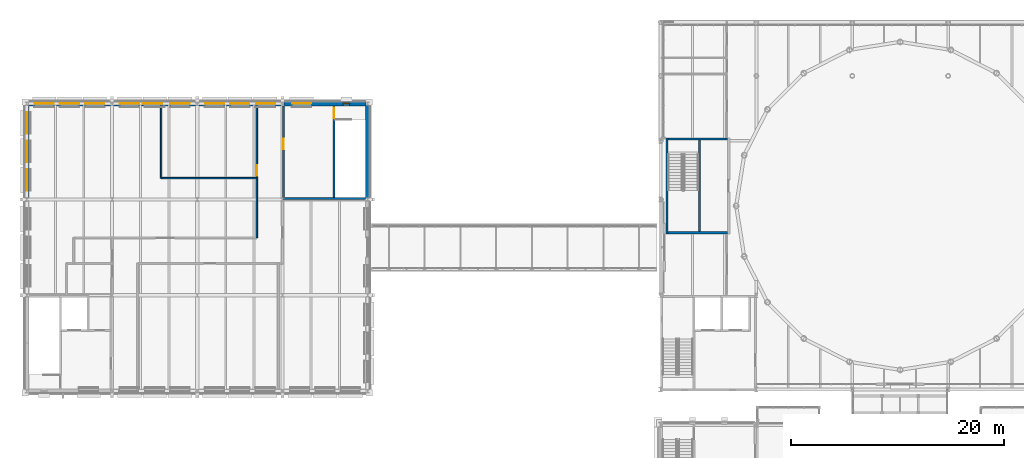
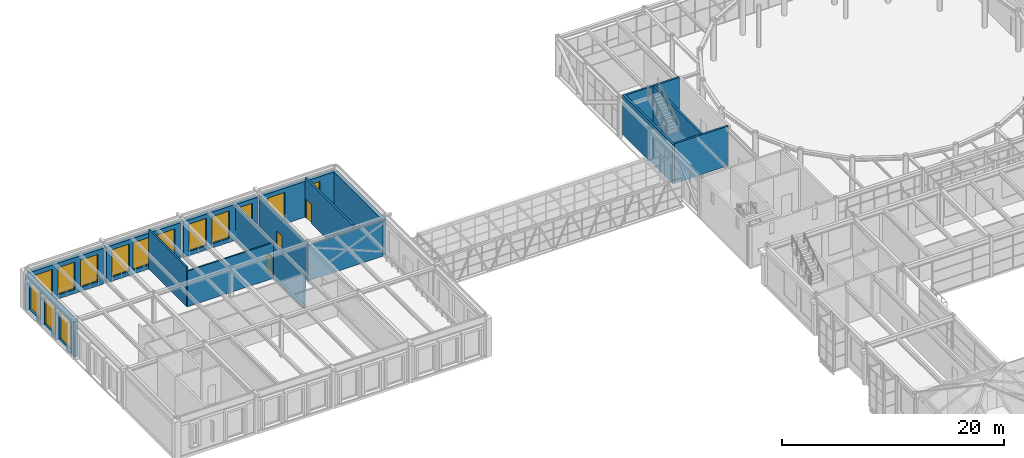
# One storey, part 95 of 149: 16 walls, 14 windows, 3 doors, 17 openings.
"""IFC4 building model written with IfcOpenShell, lengths in metres."""

import ifcopenshell
import ifcopenshell.guid

model = None  # the IFC model being written
_history = None  # IfcOwnerHistory: only IFC2X3 demands one
_inside = {}  # id of a spatial element -> (the spatial element, [elements in it])
_under = {}  # id of a project, library or spatial element -> (it, [spatial elements below it])
_declared = {}  # id of a project -> (the project, [libraries it declares])
_typed = {}  # id of a type object -> (the type object, [elements of that type])
_made_of = {}  # id of a material, layer set ... -> (it, [elements and type objects made of it])


def new_model(schema):
    """Start an empty IFC model of exactly this schema.

    Asked for "IFC4X3", IfcOpenShell would pick the latest addendum, in which some entities
    have other attributes; the version numbers below select the first issue.
    IFC2X3 requires an IfcOwnerHistory on every rooted entity: one is made here for all.
    """
    global model, _history
    if schema == "IFC4X3":
        model = ifcopenshell.file(schema_version=(4, 3, 0, 0))
    else:
        model = ifcopenshell.file(schema=schema)
    _inside.clear()
    _under.clear()
    _declared.clear()
    _typed.clear()
    _made_of.clear()
    _history = None
    if model.schema == "IFC2X3":
        org = make("IfcOrganization", Name="unknown")
        user = make(
            "IfcPersonAndOrganization",
            ThePerson=make("IfcPerson", FamilyName="unknown"),
            TheOrganization=org,
        )
        app = make(
            "IfcApplication",
            ApplicationDeveloper=org,
            Version="unknown",
            ApplicationFullName="unknown",
            ApplicationIdentifier="unknown",
        )
        _history = make(
            "IfcOwnerHistory",
            OwningUser=user,
            OwningApplication=app,
            ChangeAction="ADDED",
            CreationDate=0,
        )
    return model


def make(cls, **values):
    """One entity of the class cls with the attributes given. An attribute that is None is left unset."""
    return model.create_entity(
        cls, **{name: value for name, value in values.items() if value is not None}
    )


def rooted(cls, **values):
    """An entity with a GlobalId (a new one), such as an element, a storey or a relation."""
    return make(cls, GlobalId=ifcopenshell.guid.new(), OwnerHistory=_history, **values)


def si_unit(unit_type, name, prefix=None):
    """IfcSIUnit, for example si_unit("LENGTHUNIT", "METRE", prefix="MILLI")."""
    return make("IfcSIUnit", UnitType=unit_type, Prefix=prefix, Name=name)


def assignment(units):
    """IfcUnitAssignment: the units of a project."""
    return None if units is None else make("IfcUnitAssignment", Units=units)


def point(xyz):
    """IfcCartesianPoint."""
    return None if xyz is None else make("IfcCartesianPoint", Coordinates=xyz)


def direction(xyz):
    """IfcDirection."""
    return None if xyz is None else make("IfcDirection", DirectionRatios=xyz)


def frame(location, z_axis=None, x_axis=None):
    """IfcAxis2Placement3D, a coordinate frame: its origin and axes. An axis left out is left unset."""
    return make(
        "IfcAxis2Placement3D",
        Location=point(location),
        Axis=direction(z_axis),
        RefDirection=direction(x_axis),
    )


def frame_2d(location, x_axis=None):
    """IfcAxis2Placement2D, a coordinate frame in the plane: its origin and x axis."""
    return make(
        "IfcAxis2Placement2D", Location=point(location), RefDirection=direction(x_axis)
    )


def origin():
    """The frame at (0, 0, 0) with its axes left unset."""
    return frame((0.0, 0.0, 0.0))


def place(relative_to, where):
    """IfcLocalPlacement: puts the frame where relative to a parent placement (None: the world)."""
    return make(
        "IfcLocalPlacement", PlacementRelTo=relative_to, RelativePlacement=where
    )


def context(
    kind, dimensions, precision=None, world=None, true_north=None, identifier=None
):
    """IfcGeometricRepresentationContext, for example the 3D "Model" context."""
    return make(
        "IfcGeometricRepresentationContext",
        ContextIdentifier=identifier,
        ContextType=kind,
        CoordinateSpaceDimension=dimensions,
        Precision=precision,
        WorldCoordinateSystem=world,
        TrueNorth=true_north,
    )


def subcontext(parent, identifier, kind, view, scale=None):
    """IfcGeometricRepresentationSubContext, for example "Body" below "Model"."""
    return make(
        "IfcGeometricRepresentationSubContext",
        ContextIdentifier=identifier,
        ContextType=kind,
        ParentContext=parent,
        TargetScale=scale,
        TargetView=view,
    )


def project(units=None, contexts=None):
    """IfcProject with its units and contexts."""
    return rooted(
        "IfcProject",
        Name="project",
        RepresentationContexts=contexts,
        UnitsInContext=assignment(units),
    )


def spatial(cls, under=None, at=None, **own):
    """A site, building, storey or space (cls), placed at a placement, below another one or the project."""
    s = rooted(cls, ObjectPlacement=at, **own)
    if under is not None:
        _under.setdefault(under.id(), (under, []))[1].append(s)
    return s


def profile(cls, at=None, kind="AREA", **sizes):
    """A parametric profile (cls). Its sizes go by their IFC names, for example OverallWidth=200.0."""
    return make(cls, ProfileType=kind, Position=at, **sizes)


def rectangle(**sizes):
    """IfcRectangleProfileDef."""
    return profile("IfcRectangleProfileDef", **sizes)


def extrude(swept, where, along, depth):
    """IfcExtrudedAreaSolid: the profile swept, set in the frame where, extruded along a direction by depth."""
    return make(
        "IfcExtrudedAreaSolid",
        SweptArea=swept,
        Position=where,
        ExtrudedDirection=direction(along),
        Depth=depth,
    )


def shape(context_of_items, identifier, shape_type, items):
    """IfcShapeRepresentation: the items that make up one representation, for example the "Body"."""
    return make(
        "IfcShapeRepresentation",
        ContextOfItems=context_of_items,
        RepresentationIdentifier=identifier,
        RepresentationType=shape_type,
        Items=items,
    )


def material(Name=None, Category=None):
    """IfcMaterial."""
    return make("IfcMaterial", Name=Name, Category=Category)


def layer(
    of_material, thickness, ventilated=None, Name=None, Category=None, Priority=None
):
    """IfcMaterialLayer: one layer of a wall or slab, of a material (None: an air gap)."""
    return make(
        "IfcMaterialLayer",
        Material=of_material,
        LayerThickness=thickness,
        IsVentilated=ventilated,
        Name=Name,
        Category=Category,
        Priority=Priority,
    )


def layer_set(layers, Name=None):
    """IfcMaterialLayerSet."""
    return make("IfcMaterialLayerSet", MaterialLayers=layers, LayerSetName=Name)


def made_of(thing, what):
    """Note that an element or type object is made of a material, layer set ...; save() writes the relation."""
    if what is not None:
        _made_of.setdefault(what.id(), (what, []))[1].append(thing)
    return thing


def type_object(cls, material=None, **own):
    """A type object (cls), such as IfcWallType, which elements share."""
    return made_of(rooted(cls, **own), material)


def element(
    cls,
    number,
    at=None,
    inside=None,
    cuts=None,
    type_object=None,
    material=None,
    context=None,
    identifier="Body",
    shape_type=None,
    held_by="IfcProductDefinitionShape",
    body=None,
    shapes=None,
    **own,
):
    """One element of the class cls, such as IfcWall. Its Tag is "e" and its number.

    at: its placement. inside: the storey or other place that contains it. cuts: it is an
    opening in that element (IfcRelVoidsElement). A single representation is given by context,
    identifier, shape_type and body (its items); several are given by shapes. held_by: the class
    of the entity that holds the representations. save() writes the other relations.
    """
    e = rooted(cls, Tag="e%d" % number, ObjectPlacement=at, **own)
    if body is not None:
        shapes = [shape(context, identifier, shape_type, body)]
    if shapes is not None:
        e.Representation = make(held_by, Representations=shapes)
    if inside is not None:
        _inside.setdefault(inside.id(), (inside, []))[1].append(e)
    if cuts is not None:
        rooted(
            "IfcRelVoidsElement", RelatingBuildingElement=cuts, RelatedOpeningElement=e
        )
    if type_object is not None:
        _typed.setdefault(type_object.id(), (type_object, []))[1].append(e)
    return made_of(e, material)


def fill(opening, filler):
    """IfcRelFillsElement: the door or window that sits in an opening."""
    return rooted(
        "IfcRelFillsElement",
        RelatingOpeningElement=opening,
        RelatedBuildingElement=filler,
    )


def aggregate(whole, parts):
    """IfcRelAggregates: a whole, such as a stair, and the parts it consists of."""
    return rooted("IfcRelAggregates", RelatingObject=whole, RelatedObjects=parts)


def save(model, path):
    """Write the relations noted so far, then the file.

    IfcRelAggregates (storeys below a building ...), IfcRelContainedInSpatialStructure (elements
    in a storey), IfcRelDefinesByType, IfcRelAssociatesMaterial and IfcRelDeclares: one each for
    every whole, place, type object, material and project.
    """
    for whole, parts in _under.values():
        aggregate(whole, parts)
    for where, things in _inside.values():
        rooted(
            "IfcRelContainedInSpatialStructure",
            RelatedElements=things,
            RelatingStructure=where,
        )
    for kind, things in _typed.values():
        rooted("IfcRelDefinesByType", RelatedObjects=things, RelatingType=kind)
    for what, things in _made_of.values():
        rooted("IfcRelAssociatesMaterial", RelatedObjects=things, RelatingMaterial=what)
    for by, libraries in _declared.values():
        rooted("IfcRelDeclares", RelatingContext=by, RelatedDefinitions=libraries)
    model.write(path)


model = new_model("IFC4")

# Units and contexts
model_context = context("Model", 3, precision=1e-05, world=origin(), true_north=direction((0.0, 1.0)))
body_context = subcontext(model_context, "Body", "Model", "MODEL_VIEW")
ifc_project = project(units=[si_unit("LENGTHUNIT", "METRE"), si_unit("AREAUNIT", "SQUARE_METRE"), si_unit("VOLUMEUNIT", "CUBIC_METRE"), si_unit("PLANEANGLEUNIT", "RADIAN"), si_unit("MASSUNIT", "GRAM", prefix="KILO")], contexts=[model_context])

# Site, building, storey
site_placement = place(None, origin())
site = spatial("IfcSite", under=ifc_project, at=site_placement, CompositionType="ELEMENT")
building_placement = place(site_placement, origin())
building = spatial("IfcBuilding", under=site, at=building_placement, Name="Kallimachos Central Library", CompositionType="ELEMENT")
storey_placement = place(building_placement, frame((0.0, 0.0, 9.89990234375)))
storey = spatial("IfcBuildingStorey", under=building, at=storey_placement, Name="L02", CompositionType="ELEMENT", Elevation=9.89990234375)

# Walls
ifc_material_1 = material(Name="Concrete C30/37", Category="concrete")
ifc_layer_1 = layer(ifc_material_1, 0.199951171875)
ifc_layer_set_1 = layer_set([ifc_layer_1], Name="Core wall 200")
wall_type_1 = type_object("IfcWallType", Name="Core wall 200", PredefinedType="SOLIDWALL", material=ifc_layer_set_1)
wall_1_placement = place(storey_placement, frame((66.10009765625, 101.77490234375, 0.0), z_axis=(0.0, 0.0, 1.0), x_axis=(0.0, 1.0, 0.0)))
element("IfcWall", 1, at=wall_1_placement, inside=storey, type_object=wall_type_1, Name="Core wall V1-NW W", PredefinedType="SOLIDWALL", context=body_context, shape_type="SweptSolid", body=[
    extrude(rectangle(XDim=9.0, YDim=0.199951171875, at=frame_2d((4.5, 0.0))), origin(), (0.0, 0.0, 1.0), 4.35009765625),
])
for number, where, z_axis, x_axis, name in (
    (2, (66.199951171875, 101.875, 0.0), (0.0, 0.0, 1.0), (1.0, 0.0, 0.0), "Core wall V1-NW S"),
    (3, (66.199951171875, 110.675048828125, 0.0), (0.0, 0.0, 1.0), (1.0, 0.0, 0.0), "Core wall V1-NW N"),
):
    element("IfcWall", number, at=place(storey_placement, frame(where, z_axis=z_axis, x_axis=x_axis)), inside=storey, type_object=wall_type_1, Name=name, PredefinedType="SOLIDWALL", context=body_context, shape_type="SweptSolid", body=[
        extrude(rectangle(XDim=5.60009765625, YDim=0.199951171875, at=frame_2d((2.800048828125, 0.0))), origin(), (0.0, 0.0, 1.0), 4.35009765625),
    ])
wall_2_placement = place(storey_placement, frame((69.14990234375, 101.97509765625, 0.0), z_axis=(0.0, 0.0, 1.0), x_axis=(0.0, 1.0, 0.0)))
element("IfcWall", 4, at=wall_2_placement, inside=storey, type_object=wall_type_1, Name="Stair wall V1-NW", PredefinedType="SOLIDWALL", context=body_context, shape_type="SweptSolid", body=[
    extrude(rectangle(XDim=8.599853515625, YDim=0.199951171875, at=frame_2d((4.2998046875, 0.0))), origin(), (0.0, 0.0, 1.0), 4.35009765625),
])
wall_3_placement = place(storey_placement, frame((30.0, 105.10009765625, 0.0), z_axis=(0.0, 0.0, 1.0), x_axis=(1.0, 0.0, 0.0)))
element("IfcWall", 5, at=wall_3_placement, inside=storey, type_object=wall_type_1, Name="Core wall ne-south L02", PredefinedType="SOLIDWALL", context=body_context, shape_type="SweptSolid", body=[
    extrude(rectangle(XDim=7.800048828125, YDim=0.199951171875, at=frame_2d((3.89990234375, 0.0))), origin(), (0.0, 0.0, 1.0), 3.91015625),
])

# Wall, opening, door
wall_4_placement = place(storey_placement, frame((30.10009765625, 105.199951171875, 0.0), z_axis=(0.0, 0.0, 1.0), x_axis=(0.0, 1.0, 0.0)))
wall_4 = element("IfcWall", 6, at=wall_4_placement, inside=storey, type_object=wall_type_1, Name="Core wall ne-west L02", PredefinedType="SOLIDWALL", context=body_context, shape_type="SweptSolid", body=[
    extrude(rectangle(XDim=8.60009765625, YDim=0.199951171875, at=frame_2d((4.300048828125, 0.0))), origin(), (0.0, 0.0, 1.0), 3.91015625),
])
opening_1_placement = place(wall_4_placement, frame((4.5, 0.0, 0.0)))
opening_1 = element("IfcOpeningElement", 7, at=opening_1_placement, cuts=wall_4, Name="Opening D312", PredefinedType="OPENING", context=body_context, shape_type="SweptSolid", body=[
    extrude(rectangle(XDim=1.0, YDim=2.10009765625, at=frame_2d((0.5, 1.050048828125))), frame((0.0, 0.10986328125, 0.0), z_axis=(0.0, -1.0, 0.0), x_axis=(1.0, 0.0, 0.0)), (0.0, 0.0, 1.0), 0.219970703125),
])
ifc_material_2 = material(Name="Steel fire door", Category="steel")
door_type_1 = type_object("IfcDoorType", Name="Fire door 1000 x 2100", OperationType="NOTDEFINED", PredefinedType="DOOR", material=ifc_material_2)
door_1_placement = place(opening_1_placement, origin())
door_1 = element("IfcDoor", 8, at=door_1_placement, inside=storey, type_object=door_type_1, Name="Stair lobby ST6 door to corridor", OperationType="SINGLE_SWING_LEFT", OverallHeight=2.10009765625, OverallWidth=1.0, PredefinedType="DOOR", context=body_context, shape_type="SweptSolid", body=[
    extrude(rectangle(XDim=1.0, YDim=2.10009765625, at=frame_2d((0.5, 1.050048828125))), frame((0.0, 0.02490234375, 0.0), z_axis=(0.0, -1.0, 0.0), x_axis=(1.0, 0.0, 0.0)), (0.0, 0.0, 1.0), 0.050048828125),
])
fill(opening_1, door_1)

ifc_material_3 = material(Name="Concrete C30/37", Category="concrete")
ifc_layer_2 = layer(ifc_material_3, 0.199951171875)
ifc_layer_set_2 = layer_set([ifc_layer_2], Name="Core wall 200, non-load-bearing")
wall_type_2 = type_object("IfcWallType", Name="Core wall 200, non-load-bearing", PredefinedType="SOLIDWALL", material=ifc_layer_set_2)
wall_5_placement = place(storey_placement, frame((34.85009765625, 105.199951171875, 0.0), z_axis=(0.0, 0.0, 1.0), x_axis=(0.0, 1.0, 0.0)))
wall_5 = element("IfcWall", 9, at=wall_5_placement, inside=storey, type_object=wall_type_2, Name="Core wall ne-stair-lobby L02", PredefinedType="SOLIDWALL", context=body_context, shape_type="SweptSolid", body=[
    extrude(rectangle(XDim=8.60009765625, YDim=0.199951171875, at=frame_2d((4.300048828125, 0.0))), origin(), (0.0, 0.0, 1.0), 4.35009765625),
])
opening_2_placement = place(wall_5_placement, frame((7.425048828125, 0.0, 0.0)))
opening_2 = element("IfcOpeningElement", 10, at=opening_2_placement, cuts=wall_5, Name="Opening D311", PredefinedType="OPENING", context=body_context, shape_type="SweptSolid", body=[
    extrude(rectangle(XDim=1.0, YDim=2.10009765625, at=frame_2d((0.5, 1.050048828125))), frame((0.0, 0.10986328125, 0.0), z_axis=(0.0, -1.0, 0.0), x_axis=(1.0, 0.0, 0.0)), (0.0, 0.0, 1.0), 0.219970703125),
])
door_2_placement = place(opening_2_placement, frame((1.0, 0.0, 0.0), z_axis=(0.0, 0.0, 1.0), x_axis=(-1.0, 0.0, 0.0)))
door_2 = element("IfcDoor", 11, at=door_2_placement, inside=storey, type_object=door_type_1, Name="Stair ST6 door", OperationType="SINGLE_SWING_RIGHT", OverallHeight=2.10009765625, OverallWidth=1.0, PredefinedType="DOOR", context=body_context, shape_type="SweptSolid", body=[
    extrude(rectangle(XDim=1.0, YDim=2.10009765625, at=frame_2d((0.5, 1.050048828125))), frame((0.0, 0.02490234375, 0.0), z_axis=(0.0, -1.0, 0.0), x_axis=(1.0, 0.0, 0.0)), (0.0, 0.0, 1.0), 0.050048828125),
])
fill(opening_2, door_2)

# Walls
ifc_material_4 = material(Name="Gypsum board on steel studs", Category="steel")
ifc_layer_3 = layer(ifc_material_4, 0.14990234375)
ifc_layer_set_3 = layer_set([ifc_layer_3], Name="Partition wall 150")
wall_type_3 = type_object("IfcWallType", Name="Partition wall 150", PredefinedType="PARTITIONING", material=ifc_layer_set_3)
wall_6_placement = place(storey_placement, frame((18.60009765625, 107.0, 0.0), z_axis=(0.0, 0.0, 1.0), x_axis=(0.0, 1.0, 0.0)))
element("IfcWall", 12, at=wall_6_placement, inside=storey, type_object=wall_type_3, Name="Partition L02", PredefinedType="PARTITIONING", context=body_context, shape_type="SweptSolid", body=[
    extrude(rectangle(XDim=6.800048828125, YDim=0.14990234375, at=frame_2d((3.39990234375, 0.0))), origin(), (0.0, 0.0, 1.0), 4.35009765625),
])
wall_7_placement = place(storey_placement, frame((18.60009765625, 107.0, 0.0), z_axis=(0.0, 0.0, 1.0), x_axis=(1.0, 0.0, 0.0)))
element("IfcWall", 13, at=wall_7_placement, inside=storey, type_object=wall_type_3, Name="Partition L02", PredefinedType="PARTITIONING", context=body_context, shape_type="SweptSolid", body=[
    extrude(rectangle(XDim=9.0, YDim=0.14990234375, at=frame_2d((4.5, 0.0))), origin(), (0.0, 0.0, 1.0), 3.91015625),
])

# Wall, opening, door
wall_8_placement = place(storey_placement, frame((27.60009765625, 101.39990234375, 0.0), z_axis=(0.0, 0.0, 1.0), x_axis=(0.0, 1.0, 0.0)))
wall_8 = element("IfcWall", 14, at=wall_8_placement, inside=storey, type_object=wall_type_3, Name="Partition L02", PredefinedType="PARTITIONING", context=body_context, shape_type="SweptSolid", body=[
    extrude(rectangle(XDim=12.400146484375, YDim=0.14990234375, at=frame_2d((6.2001953125, 0.0))), origin(), (0.0, 0.0, 1.0), 3.960205078125),
])
opening_3_placement = place(wall_8_placement, frame((5.830078125, 0.0, 0.0)))
opening_3 = element("IfcOpeningElement", 15, at=opening_3_placement, cuts=wall_8, Name="Opening D316", PredefinedType="OPENING", context=body_context, shape_type="SweptSolid", body=[
    extrude(rectangle(XDim=1.0, YDim=2.10009765625, at=frame_2d((0.5, 1.050048828125))), frame((0.0, 0.0849609375, 0.0), z_axis=(0.0, -1.0, 0.0), x_axis=(1.0, 0.0, 0.0)), (0.0, 0.0, 1.0), 0.169921875),
])
ifc_material_5 = material(Name="Timber", Category="wood")
door_type_2 = type_object("IfcDoorType", Name="Single leaf door 1000 x 2100, EI2 30", OperationType="NOTDEFINED", PredefinedType="DOOR", material=ifc_material_5)
door_3_placement = place(opening_3_placement, frame((1.0, 0.0, 0.0), z_axis=(0.0, 0.0, 1.0), x_axis=(-1.0, 0.0, 0.0)))
door_3 = element("IfcDoor", 16, at=door_3_placement, inside=storey, type_object=door_type_2, Name="Door to Children's Staff Room", OperationType="SINGLE_SWING_RIGHT", OverallHeight=2.10009765625, OverallWidth=1.0, PredefinedType="DOOR", context=body_context, shape_type="SweptSolid", body=[
    extrude(rectangle(XDim=1.0, YDim=2.10009765625, at=frame_2d((0.5, 1.050048828125))), frame((0.0, 0.02490234375, 0.0), z_axis=(0.0, -1.0, 0.0), x_axis=(1.0, 0.0, 0.0)), (0.0, 0.0, 1.0), 0.050048828125),
])
fill(opening_3, door_3)

# Wall, openings, windows
ifc_material_6 = material(Name="Pentelic marble cladding on insulated brick masonry", Category="masonry")
ifc_layer_4 = layer(ifc_material_6, 0.39990234375)
ifc_layer_set_4 = layer_set([ifc_layer_4], Name="Stone cladding wall 400")
wall_type_4 = type_object("IfcWallType", Name="Stone cladding wall 400", PredefinedType="SOLIDWALL", material=ifc_layer_set_4)
wall_9_placement = place(storey_placement, frame((30.14990234375, 114.0, 0.0), z_axis=(0.0, 0.0, 1.0), x_axis=(1.0, 0.0, 0.0)))
wall_9 = element("IfcWall", 17, at=wall_9_placement, inside=storey, type_object=wall_type_4, Name="Stone wall N4 L02", PredefinedType="SOLIDWALL", context=body_context, shape_type="SweptSolid", body=[
    extrude(rectangle(XDim=7.7001953125, YDim=0.39990234375, at=frame_2d((3.85009765625, 0.0))), origin(), (0.0, 0.0, 1.0), 3.93017578125),
])
opening_4_placement = place(wall_9_placement, frame((5.550048828125, 0.0, 1.0)))
opening_4 = element("IfcOpeningElement", 18, at=opening_4_placement, cuts=wall_9, Name="Opening WN223", PredefinedType="OPENING", context=body_context, shape_type="SweptSolid", body=[
    extrude(rectangle(XDim=0.60009765625, YDim=2.39990234375, at=frame_2d((0.300048828125, 1.199951171875))), frame((0.0, 0.2099609375, 0.0), z_axis=(0.0, -1.0, 0.0), x_axis=(1.0, 0.0, 0.0)), (0.0, 0.0, 1.0), 0.419921875),
])
opening_5_placement = place(wall_9_placement, frame((0.75, 0.0, 0.449951171875)))
opening_5 = element("IfcOpeningElement", 19, at=opening_5_placement, cuts=wall_9, Name="Opening WN224", PredefinedType="OPENING", context=body_context, shape_type="SweptSolid", body=[
    extrude(rectangle(XDim=1.800048828125, YDim=3.0, at=frame_2d((0.89990234375, 1.5))), frame((0.0, 0.2099609375, 0.0), z_axis=(0.0, -1.0, 0.0), x_axis=(1.0, 0.0, 0.0)), (0.0, 0.0, 1.0), 0.419921875),
])
ifc_material_7 = material(Name="Laminated safety glass in painted steel frame", Category="steel")
window_type_1 = type_object("IfcWindowType", Name="Stair window 600 x 2400", PartitioningType="SINGLE_PANEL", PredefinedType="WINDOW", material=ifc_material_7)
window_1_placement = place(opening_4_placement, origin())
window_1 = element("IfcWindow", 20, at=window_1_placement, inside=storey, type_object=window_type_1, Name="V2-WIN-L02-021", OverallHeight=2.39990234375, OverallWidth=0.60009765625, PartitioningType="SINGLE_PANEL", PredefinedType="WINDOW", context=body_context, shape_type="SweptSolid", body=[
    extrude(rectangle(XDim=0.60009765625, YDim=2.39990234375, at=frame_2d((0.300048828125, 1.199951171875))), frame((0.0, 0.030029296875, 0.0), z_axis=(0.0, -1.0, 0.0), x_axis=(1.0, 0.0, 0.0)), (0.0, 0.0, 1.0), 0.06005859375),
])
fill(opening_4, window_1)
ifc_material_8 = material(Name="Laminated safety glass in painted steel frame", Category="steel")
window_type_2 = type_object("IfcWindowType", Name="Window 1800 x 3000", PartitioningType="SINGLE_PANEL", PredefinedType="WINDOW", material=ifc_material_8)
window_2_placement = place(opening_5_placement, origin())
window_2 = element("IfcWindow", 21, at=window_2_placement, inside=storey, type_object=window_type_2, Name="V2-WIN-L02-022", OverallHeight=3.0, OverallWidth=1.800048828125, PartitioningType="SINGLE_PANEL", PredefinedType="WINDOW", context=body_context, shape_type="SweptSolid", body=[
    extrude(rectangle(XDim=1.800048828125, YDim=3.0, at=frame_2d((0.89990234375, 1.5))), frame((0.0, 0.030029296875, 0.0), z_axis=(0.0, -1.0, 0.0), x_axis=(1.0, 0.0, 0.0)), (0.0, 0.0, 1.0), 0.06005859375),
])
fill(opening_5, window_2)

# Wall
wall_10_placement = place(storey_placement, frame((38.0, 105.14990234375, 0.0), z_axis=(0.0, 0.0, 1.0), x_axis=(0.0, 1.0, 0.0)))
element("IfcWall", 22, at=wall_10_placement, inside=storey, type_object=wall_type_4, Name="Stone wall E3 L02", PredefinedType="SOLIDWALL", context=body_context, shape_type="SweptSolid", body=[
    extrude(rectangle(XDim=8.7001953125, YDim=0.39990234375, at=frame_2d((4.35009765625, 0.0))), origin(), (0.0, 0.0, 1.0), 3.880126953125),
])

# Wall, openings, windows
ifc_material_9 = material(Name="Pentelic marble cladding on insulated brick masonry", Category="masonry")
ifc_layer_5 = layer(ifc_material_9, 0.39990234375)
ifc_layer_set_5 = layer_set([ifc_layer_5], Name="Stone cladding wall 400, unrated")
wall_type_5 = type_object("IfcWallType", Name="Stone cladding wall 400, unrated", PredefinedType="SOLIDWALL", material=ifc_layer_set_5)
wall_11_placement = place(storey_placement, frame((6.14990234375, 114.0, 0.0), z_axis=(0.0, 0.0, 1.0), x_axis=(1.0, 0.0, 0.0)))
wall_11 = element("IfcWall", 23, at=wall_11_placement, inside=storey, type_object=wall_type_5, Name="Stone wall N1 L02", PredefinedType="SOLIDWALL", context=body_context, shape_type="SweptSolid", body=[
    extrude(rectangle(XDim=7.7001953125, YDim=0.39990234375, at=frame_2d((3.85009765625, 0.0))), origin(), (0.0, 0.0, 1.0), 3.93017578125),
])
opening_6_placement = place(wall_11_placement, frame((0.574951171875, 0.0, 0.449951171875)))
opening_6 = element("IfcOpeningElement", 24, at=opening_6_placement, cuts=wall_11, Name="Opening WN201", PredefinedType="OPENING", context=body_context, shape_type="SweptSolid", body=[
    extrude(rectangle(XDim=1.800048828125, YDim=3.0, at=frame_2d((0.89990234375, 1.5))), frame((0.0, 0.2099609375, 0.0), z_axis=(0.0, -1.0, 0.0), x_axis=(1.0, 0.0, 0.0)), (0.0, 0.0, 1.0), 0.419921875),
])
opening_7_placement = place(wall_11_placement, frame((2.949951171875, 0.0, 0.449951171875)))
opening_7 = element("IfcOpeningElement", 25, at=opening_7_placement, cuts=wall_11, Name="Opening WN202", PredefinedType="OPENING", context=body_context, shape_type="SweptSolid", body=[
    extrude(rectangle(XDim=1.800048828125, YDim=3.0, at=frame_2d((0.89990234375, 1.5))), frame((0.0, 0.2099609375, 0.0), z_axis=(0.0, -1.0, 0.0), x_axis=(1.0, 0.0, 0.0)), (0.0, 0.0, 1.0), 0.419921875),
])
opening_8_placement = place(wall_11_placement, frame((5.324951171875, 0.0, 0.449951171875)))
opening_8 = element("IfcOpeningElement", 26, at=opening_8_placement, cuts=wall_11, Name="Opening WN203", PredefinedType="OPENING", context=body_context, shape_type="SweptSolid", body=[
    extrude(rectangle(XDim=1.800048828125, YDim=3.0, at=frame_2d((0.89990234375, 1.5))), frame((0.0, 0.2099609375, 0.0), z_axis=(0.0, -1.0, 0.0), x_axis=(1.0, 0.0, 0.0)), (0.0, 0.0, 1.0), 0.419921875),
])
window_3_placement = place(opening_6_placement, origin())
window_3 = element("IfcWindow", 27, at=window_3_placement, inside=storey, type_object=window_type_2, Name="V2-WIN-L02-012", OverallHeight=3.0, OverallWidth=1.800048828125, PartitioningType="SINGLE_PANEL", PredefinedType="WINDOW", context=body_context, shape_type="SweptSolid", body=[
    extrude(rectangle(XDim=1.800048828125, YDim=3.0, at=frame_2d((0.89990234375, 1.5))), frame((0.0, 0.030029296875, 0.0), z_axis=(0.0, -1.0, 0.0), x_axis=(1.0, 0.0, 0.0)), (0.0, 0.0, 1.0), 0.06005859375),
])
fill(opening_6, window_3)
window_4_placement = place(opening_7_placement, origin())
window_4 = element("IfcWindow", 28, at=window_4_placement, inside=storey, type_object=window_type_2, Name="V2-WIN-L02-013", OverallHeight=3.0, OverallWidth=1.800048828125, PartitioningType="SINGLE_PANEL", PredefinedType="WINDOW", context=body_context, shape_type="SweptSolid", body=[
    extrude(rectangle(XDim=1.800048828125, YDim=3.0, at=frame_2d((0.89990234375, 1.5))), frame((0.0, 0.030029296875, 0.0), z_axis=(0.0, -1.0, 0.0), x_axis=(1.0, 0.0, 0.0)), (0.0, 0.0, 1.0), 0.06005859375),
])
fill(opening_7, window_4)
window_5_placement = place(opening_8_placement, origin())
window_5 = element("IfcWindow", 29, at=window_5_placement, inside=storey, type_object=window_type_2, Name="V2-WIN-L02-014", OverallHeight=3.0, OverallWidth=1.800048828125, PartitioningType="SINGLE_PANEL", PredefinedType="WINDOW", context=body_context, shape_type="SweptSolid", body=[
    extrude(rectangle(XDim=1.800048828125, YDim=3.0, at=frame_2d((0.89990234375, 1.5))), frame((0.0, 0.030029296875, 0.0), z_axis=(0.0, -1.0, 0.0), x_axis=(1.0, 0.0, 0.0)), (0.0, 0.0, 1.0), 0.06005859375),
])
fill(opening_8, window_5)

wall_12_placement = place(storey_placement, frame((14.14990234375, 114.0, 0.0), z_axis=(0.0, 0.0, 1.0), x_axis=(1.0, 0.0, 0.0)))
wall_12 = element("IfcWall", 30, at=wall_12_placement, inside=storey, type_object=wall_type_5, Name="Stone wall N2 L02", PredefinedType="SOLIDWALL", context=body_context, shape_type="SweptSolid", body=[
    extrude(rectangle(XDim=7.7001953125, YDim=0.39990234375, at=frame_2d((3.85009765625, 0.0))), origin(), (0.0, 0.0, 1.0), 3.93017578125),
])
opening_9_placement = place(wall_12_placement, frame((0.574951171875, 0.0, 0.449951171875)))
opening_9 = element("IfcOpeningElement", 31, at=opening_9_placement, cuts=wall_12, Name="Opening WN209", PredefinedType="OPENING", context=body_context, shape_type="SweptSolid", body=[
    extrude(rectangle(XDim=1.800048828125, YDim=3.0, at=frame_2d((0.89990234375, 1.5))), frame((0.0, 0.2099609375, 0.0), z_axis=(0.0, -1.0, 0.0), x_axis=(1.0, 0.0, 0.0)), (0.0, 0.0, 1.0), 0.419921875),
])
opening_10_placement = place(wall_12_placement, frame((2.75, 0.0, 0.449951171875)))
opening_10 = element("IfcOpeningElement", 32, at=opening_10_placement, cuts=wall_12, Name="Opening WN210", PredefinedType="OPENING", context=body_context, shape_type="SweptSolid", body=[
    extrude(rectangle(XDim=1.800048828125, YDim=3.0, at=frame_2d((0.89990234375, 1.5))), frame((0.0, 0.2099609375, 0.0), z_axis=(0.0, -1.0, 0.0), x_axis=(1.0, 0.0, 0.0)), (0.0, 0.0, 1.0), 0.419921875),
])
opening_11_placement = place(wall_12_placement, frame((5.324951171875, 0.0, 0.449951171875)))
opening_11 = element("IfcOpeningElement", 33, at=opening_11_placement, cuts=wall_12, Name="Opening WN211", PredefinedType="OPENING", context=body_context, shape_type="SweptSolid", body=[
    extrude(rectangle(XDim=1.800048828125, YDim=3.0, at=frame_2d((0.89990234375, 1.5))), frame((0.0, 0.2099609375, 0.0), z_axis=(0.0, -1.0, 0.0), x_axis=(1.0, 0.0, 0.0)), (0.0, 0.0, 1.0), 0.419921875),
])
window_6_placement = place(opening_9_placement, origin())
window_6 = element("IfcWindow", 34, at=window_6_placement, inside=storey, type_object=window_type_2, Name="V2-WIN-L02-015", OverallHeight=3.0, OverallWidth=1.800048828125, PartitioningType="SINGLE_PANEL", PredefinedType="WINDOW", context=body_context, shape_type="SweptSolid", body=[
    extrude(rectangle(XDim=1.800048828125, YDim=3.0, at=frame_2d((0.89990234375, 1.5))), frame((0.0, 0.030029296875, 0.0), z_axis=(0.0, -1.0, 0.0), x_axis=(1.0, 0.0, 0.0)), (0.0, 0.0, 1.0), 0.06005859375),
])
fill(opening_9, window_6)
window_7_placement = place(opening_10_placement, origin())
window_7 = element("IfcWindow", 35, at=window_7_placement, inside=storey, type_object=window_type_2, Name="V2-WIN-L02-016", OverallHeight=3.0, OverallWidth=1.800048828125, PartitioningType="SINGLE_PANEL", PredefinedType="WINDOW", context=body_context, shape_type="SweptSolid", body=[
    extrude(rectangle(XDim=1.800048828125, YDim=3.0, at=frame_2d((0.89990234375, 1.5))), frame((0.0, 0.030029296875, 0.0), z_axis=(0.0, -1.0, 0.0), x_axis=(1.0, 0.0, 0.0)), (0.0, 0.0, 1.0), 0.06005859375),
])
fill(opening_10, window_7)
window_8_placement = place(opening_11_placement, origin())
window_8 = element("IfcWindow", 36, at=window_8_placement, inside=storey, type_object=window_type_2, Name="V2-WIN-L02-017", OverallHeight=3.0, OverallWidth=1.800048828125, PartitioningType="SINGLE_PANEL", PredefinedType="WINDOW", context=body_context, shape_type="SweptSolid", body=[
    extrude(rectangle(XDim=1.800048828125, YDim=3.0, at=frame_2d((0.89990234375, 1.5))), frame((0.0, 0.030029296875, 0.0), z_axis=(0.0, -1.0, 0.0), x_axis=(1.0, 0.0, 0.0)), (0.0, 0.0, 1.0), 0.06005859375),
])
fill(opening_11, window_8)

wall_13_placement = place(storey_placement, frame((22.14990234375, 114.0, 0.0), z_axis=(0.0, 0.0, 1.0), x_axis=(1.0, 0.0, 0.0)))
wall_13 = element("IfcWall", 37, at=wall_13_placement, inside=storey, type_object=wall_type_5, Name="Stone wall N3 L02", PredefinedType="SOLIDWALL", context=body_context, shape_type="SweptSolid", body=[
    extrude(rectangle(XDim=7.7001953125, YDim=0.39990234375, at=frame_2d((3.85009765625, 0.0))), origin(), (0.0, 0.0, 1.0), 3.93017578125),
])
opening_12_placement = place(wall_13_placement, frame((0.574951171875, 0.0, 0.449951171875)))
opening_12 = element("IfcOpeningElement", 38, at=opening_12_placement, cuts=wall_13, Name="Opening WN217", PredefinedType="OPENING", context=body_context, shape_type="SweptSolid", body=[
    extrude(rectangle(XDim=1.800048828125, YDim=3.0, at=frame_2d((0.89990234375, 1.5))), frame((0.0, 0.2099609375, 0.0), z_axis=(0.0, -1.0, 0.0), x_axis=(1.0, 0.0, 0.0)), (0.0, 0.0, 1.0), 0.419921875),
])
opening_13_placement = place(wall_13_placement, frame((2.949951171875, 0.0, 0.449951171875)))
opening_13 = element("IfcOpeningElement", 39, at=opening_13_placement, cuts=wall_13, Name="Opening WN218", PredefinedType="OPENING", context=body_context, shape_type="SweptSolid", body=[
    extrude(rectangle(XDim=1.800048828125, YDim=3.0, at=frame_2d((0.89990234375, 1.5))), frame((0.0, 0.2099609375, 0.0), z_axis=(0.0, -1.0, 0.0), x_axis=(1.0, 0.0, 0.0)), (0.0, 0.0, 1.0), 0.419921875),
])
opening_14_placement = place(wall_13_placement, frame((5.375, 0.0, 0.449951171875)))
opening_14 = element("IfcOpeningElement", 40, at=opening_14_placement, cuts=wall_13, Name="Opening WN219", PredefinedType="OPENING", context=body_context, shape_type="SweptSolid", body=[
    extrude(rectangle(XDim=1.800048828125, YDim=3.0, at=frame_2d((0.89990234375, 1.5))), frame((0.0, 0.2099609375, 0.0), z_axis=(0.0, -1.0, 0.0), x_axis=(1.0, 0.0, 0.0)), (0.0, 0.0, 1.0), 0.419921875),
])
window_9_placement = place(opening_12_placement, origin())
window_9 = element("IfcWindow", 41, at=window_9_placement, inside=storey, type_object=window_type_2, Name="V2-WIN-L02-018", OverallHeight=3.0, OverallWidth=1.800048828125, PartitioningType="SINGLE_PANEL", PredefinedType="WINDOW", context=body_context, shape_type="SweptSolid", body=[
    extrude(rectangle(XDim=1.800048828125, YDim=3.0, at=frame_2d((0.89990234375, 1.5))), frame((0.0, 0.030029296875, 0.0), z_axis=(0.0, -1.0, 0.0), x_axis=(1.0, 0.0, 0.0)), (0.0, 0.0, 1.0), 0.06005859375),
])
fill(opening_12, window_9)
window_10_placement = place(opening_13_placement, origin())
window_10 = element("IfcWindow", 42, at=window_10_placement, inside=storey, type_object=window_type_2, Name="V2-WIN-L02-019", OverallHeight=3.0, OverallWidth=1.800048828125, PartitioningType="SINGLE_PANEL", PredefinedType="WINDOW", context=body_context, shape_type="SweptSolid", body=[
    extrude(rectangle(XDim=1.800048828125, YDim=3.0, at=frame_2d((0.89990234375, 1.5))), frame((0.0, 0.030029296875, 0.0), z_axis=(0.0, -1.0, 0.0), x_axis=(1.0, 0.0, 0.0)), (0.0, 0.0, 1.0), 0.06005859375),
])
fill(opening_13, window_10)
window_11_placement = place(opening_14_placement, origin())
window_11 = element("IfcWindow", 43, at=window_11_placement, inside=storey, type_object=window_type_2, Name="V2-WIN-L02-020", OverallHeight=3.0, OverallWidth=1.800048828125, PartitioningType="SINGLE_PANEL", PredefinedType="WINDOW", context=body_context, shape_type="SweptSolid", body=[
    extrude(rectangle(XDim=1.800048828125, YDim=3.0, at=frame_2d((0.89990234375, 1.5))), frame((0.0, 0.030029296875, 0.0), z_axis=(0.0, -1.0, 0.0), x_axis=(1.0, 0.0, 0.0)), (0.0, 0.0, 1.0), 0.06005859375),
])
fill(opening_14, window_11)

wall_14_placement = place(storey_placement, frame((6.0, 105.14990234375, 0.0), z_axis=(0.0, 0.0, 1.0), x_axis=(0.0, 1.0, 0.0)))
wall_14 = element("IfcWall", 44, at=wall_14_placement, inside=storey, type_object=wall_type_5, Name="Stone wall W3 L02", PredefinedType="SOLIDWALL", context=body_context, shape_type="SweptSolid", body=[
    extrude(rectangle(XDim=8.7001953125, YDim=0.39990234375, at=frame_2d((4.35009765625, 0.0))), origin(), (0.0, 0.0, 1.0), 3.880126953125),
])
opening_15_placement = place(wall_14_placement, frame((0.675048828125, 0.0, 0.449951171875)))
opening_15 = element("IfcOpeningElement", 45, at=opening_15_placement, cuts=wall_14, Name="Opening WN240", PredefinedType="OPENING", context=body_context, shape_type="SweptSolid", body=[
    extrude(rectangle(XDim=2.0, YDim=3.0, at=frame_2d((1.0, 1.5))), frame((0.0, 0.2099609375, 0.0), z_axis=(0.0, -1.0, 0.0), x_axis=(1.0, 0.0, 0.0)), (0.0, 0.0, 1.0), 0.419921875),
])
opening_16_placement = place(wall_14_placement, frame((3.35009765625, 0.0, 0.449951171875)))
opening_16 = element("IfcOpeningElement", 46, at=opening_16_placement, cuts=wall_14, Name="Opening WN241", PredefinedType="OPENING", context=body_context, shape_type="SweptSolid", body=[
    extrude(rectangle(XDim=2.0, YDim=3.0, at=frame_2d((1.0, 1.5))), frame((0.0, 0.2099609375, 0.0), z_axis=(0.0, -1.0, 0.0), x_axis=(1.0, 0.0, 0.0)), (0.0, 0.0, 1.0), 0.419921875),
])
opening_17_placement = place(wall_14_placement, frame((6.02490234375, 0.0, 0.449951171875)))
opening_17 = element("IfcOpeningElement", 47, at=opening_17_placement, cuts=wall_14, Name="Opening WN242", PredefinedType="OPENING", context=body_context, shape_type="SweptSolid", body=[
    extrude(rectangle(XDim=2.0, YDim=3.0, at=frame_2d((1.0, 1.5))), frame((0.0, 0.2099609375, 0.0), z_axis=(0.0, -1.0, 0.0), x_axis=(1.0, 0.0, 0.0)), (0.0, 0.0, 1.0), 0.419921875),
])
ifc_material_10 = material(Name="Laminated safety glass in painted steel frame", Category="steel")
window_type_3 = type_object("IfcWindowType", Name="Window 2000 x 3000", PartitioningType="SINGLE_PANEL", PredefinedType="WINDOW", material=ifc_material_10)
window_12_placement = place(opening_15_placement, origin())
window_12 = element("IfcWindow", 48, at=window_12_placement, inside=storey, type_object=window_type_3, Name="V2-WIN-L02-026", OverallHeight=3.0, OverallWidth=2.0, PartitioningType="SINGLE_PANEL", PredefinedType="WINDOW", context=body_context, shape_type="SweptSolid", body=[
    extrude(rectangle(XDim=2.0, YDim=3.0, at=frame_2d((1.0, 1.5))), frame((0.0, 0.030029296875, 0.0), z_axis=(0.0, -1.0, 0.0), x_axis=(1.0, 0.0, 0.0)), (0.0, 0.0, 1.0), 0.06005859375),
])
fill(opening_15, window_12)
window_13_placement = place(opening_16_placement, origin())
window_13 = element("IfcWindow", 49, at=window_13_placement, inside=storey, type_object=window_type_3, Name="V2-WIN-L02-027", OverallHeight=3.0, OverallWidth=2.0, PartitioningType="SINGLE_PANEL", PredefinedType="WINDOW", context=body_context, shape_type="SweptSolid", body=[
    extrude(rectangle(XDim=2.0, YDim=3.0, at=frame_2d((1.0, 1.5))), frame((0.0, 0.030029296875, 0.0), z_axis=(0.0, -1.0, 0.0), x_axis=(1.0, 0.0, 0.0)), (0.0, 0.0, 1.0), 0.06005859375),
])
fill(opening_16, window_13)
window_14_placement = place(opening_17_placement, origin())
window_14 = element("IfcWindow", 50, at=window_14_placement, inside=storey, type_object=window_type_3, Name="V2-WIN-L02-028", OverallHeight=3.0, OverallWidth=2.0, PartitioningType="SINGLE_PANEL", PredefinedType="WINDOW", context=body_context, shape_type="SweptSolid", body=[
    extrude(rectangle(XDim=2.0, YDim=3.0, at=frame_2d((1.0, 1.5))), frame((0.0, 0.030029296875, 0.0), z_axis=(0.0, -1.0, 0.0), x_axis=(1.0, 0.0, 0.0)), (0.0, 0.0, 1.0), 0.06005859375),
])
fill(opening_17, window_14)

save(model, "model.ifc")
